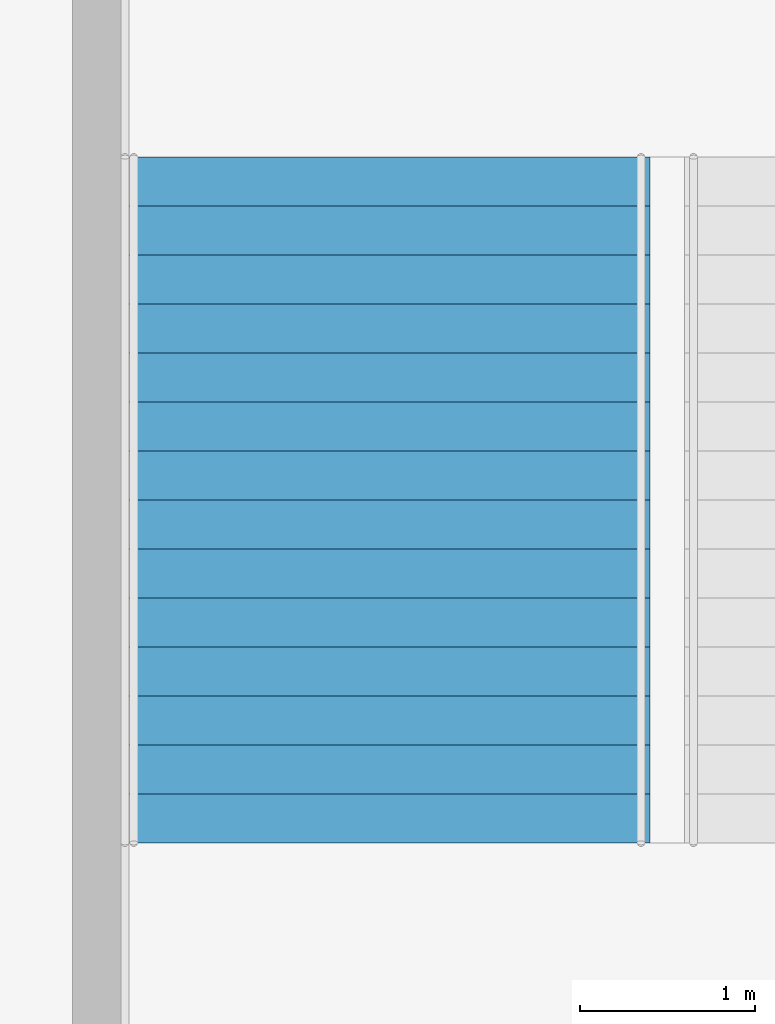
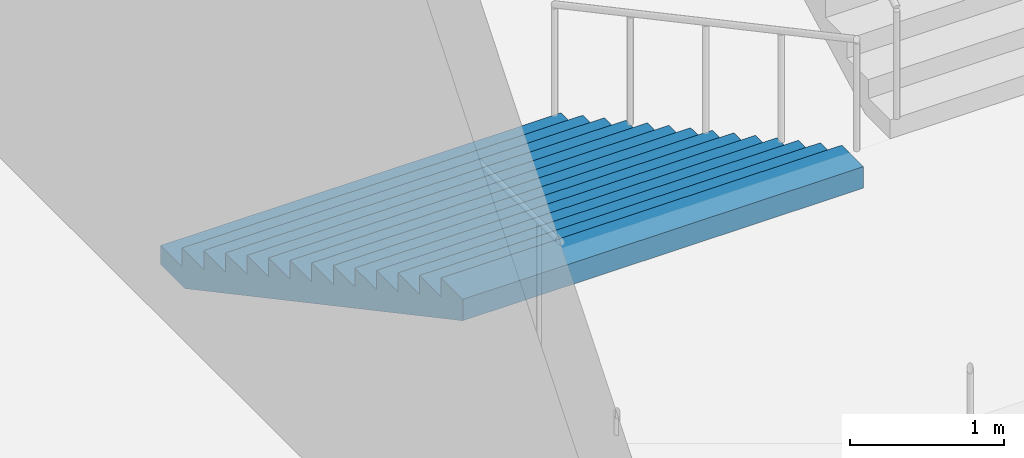
# One storey, part 96 of 113: 1 stair flight, 1 element without a shape of its own.
"""IFC4 building model written with IfcOpenShell, lengths in metres."""

from ifc_helpers import new_model, si_unit, direction, frame, origin, place, context, subcontext, project, spatial, triangles, material, type_object, element, aggregate, save


model = new_model("IFC4")

# Units and contexts
model_context = context("Model", 3, precision=1e-05, world=origin(), true_north=direction((0.0, 1.0)))
body_context = subcontext(model_context, "Body", "Model", "MODEL_VIEW")
ifc_project = project(units=[si_unit("LENGTHUNIT", "METRE"), si_unit("AREAUNIT", "SQUARE_METRE"), si_unit("VOLUMEUNIT", "CUBIC_METRE"), si_unit("PLANEANGLEUNIT", "RADIAN"), si_unit("MASSUNIT", "GRAM", prefix="KILO")], contexts=[model_context])

# Site, building, storey
site_placement = place(None, origin())
site = spatial("IfcSite", under=ifc_project, at=site_placement, CompositionType="ELEMENT")
building_placement = place(site_placement, origin())
building = spatial("IfcBuilding", under=site, at=building_placement, Name="Hakoniwa Tower and Hamabe Station Hall", CompositionType="ELEMENT")
storey_placement = place(building_placement, origin())
storey = spatial("IfcBuildingStorey", under=building, at=storey_placement, Name="L01", CompositionType="ELEMENT", Elevation=0.0)

# Stair, stair flight
ifc_material_1 = material(Name="Concrete C40", Category="concrete")
stair_type = type_object("IfcStairType", Name="STAIR 3000 15X150", PredefinedType="HALF_TURN_STAIR", material=ifc_material_1)
stair_placement = place(storey_placement, origin())
stair = element("IfcStair", 1, at=stair_placement, inside=storey, type_object=stair_type, Name="Concourse stair 1 L01-L02", PredefinedType="HALF_TURN_STAIR")
ifc_material_2 = material(Name="Concrete C40", Category="concrete")
stair_flight_type = type_object("IfcStairFlightType", Name="STAIR FLIGHT 3000", PredefinedType="STRAIGHT", material=ifc_material_2)
stair_flight_placement = place(storey_placement, frame((121.7900390625, -0.10009765625, 0.0), z_axis=(0.0, 0.0, 1.0), x_axis=(0.0, -1.0, 0.0)))
stair_flight = element("IfcStairFlight", 2, at=stair_flight_placement, type_object=stair_flight_type, Name="CS1 flight 1", NumberOfRisers=15, NumberOfTreads=14, PredefinedType="STRAIGHT", RiserHeight=0.15, TreadLength=0.28, context=body_context, shape_type="Tessellation", body=[
    triangles([(0.0, 1.5, 0.0), (0.280029296875, 1.5, 0.0), (0.3173828125, 1.5, 0.0), (0.56005859375, 1.5, 0.1298828125), (0.840087890625, 1.5, 0.280029296875), (1.1201171875, 1.5, 0.429931640625), (1.39990234375, 1.5, 0.579833984375), (1.679931640625, 1.5, 0.72998046875), (1.9599609375, 1.5, 0.8798828125), (2.239990234375, 1.5, 1.030029296875), (2.52001953125, 1.5, 1.179931640625), (2.800048828125, 1.5, 1.329833984375), (3.080078125, 1.5, 1.47998046875), (3.360107421875, 1.5, 1.6298828125), (3.639892578125, 1.5, 1.780029296875), (3.919921875, 1.5, 1.929931640625), (3.919921875, 1.5, 2.10009765625), (3.639892578125, 1.5, 2.10009765625), (3.639892578125, 1.5, 1.949951171875), (3.360107421875, 1.5, 1.949951171875), (3.360107421875, 1.5, 1.800048828125), (3.080078125, 1.5, 1.800048828125), (3.080078125, 1.5, 1.64990234375), (2.800048828125, 1.5, 1.64990234375), (2.800048828125, 1.5, 1.5), (2.52001953125, 1.5, 1.5), (2.52001953125, 1.5, 1.35009765625), (2.239990234375, 1.5, 1.35009765625), (2.239990234375, 1.5, 1.199951171875), (1.9599609375, 1.5, 1.199951171875), (1.9599609375, 1.5, 1.050048828125), (1.679931640625, 1.5, 1.050048828125), (1.679931640625, 1.5, 0.89990234375), (1.39990234375, 1.5, 0.89990234375), (1.39990234375, 1.5, 0.75), (1.1201171875, 1.5, 0.75), (1.1201171875, 1.5, 0.60009765625), (0.840087890625, 1.5, 0.60009765625), (0.840087890625, 1.5, 0.449951171875), (0.56005859375, 1.5, 0.449951171875), (0.56005859375, 1.5, 0.300048828125), (0.3173828125, 1.5, 0.300048828125), (0.280029296875, 1.5, 0.300048828125), (0.280029296875, 1.5, 0.14990234375), (0.0, 1.5, 0.14990234375), (0.0, 0.06005859375, 0.0), (0.280029296875, 0.06005859375, 0.0), (0.3173828125, 0.06005859375, 0.0), (0.56005859375, 0.06005859375, 0.1298828125), (0.840087890625, 0.06005859375, 0.280029296875), (1.1201171875, 0.06005859375, 0.429931640625), (1.39990234375, 0.06005859375, 0.579833984375), (1.679931640625, 0.06005859375, 0.72998046875), (1.9599609375, 0.06005859375, 0.8798828125), (2.239990234375, 0.06005859375, 1.030029296875), (2.52001953125, 0.06005859375, 1.179931640625), (2.800048828125, 0.06005859375, 1.329833984375), (3.080078125, 0.06005859375, 1.47998046875), (3.360107421875, 0.06005859375, 1.6298828125), (3.639892578125, 0.06005859375, 1.780029296875), (3.919921875, 0.06005859375, 1.929931640625), (3.919921875, 0.06005859375, 2.10009765625), (3.639892578125, 0.06005859375, 2.10009765625), (3.639892578125, 0.06005859375, 1.949951171875), (3.360107421875, 0.06005859375, 1.949951171875), (3.360107421875, 0.06005859375, 1.800048828125), (3.080078125, 0.06005859375, 1.800048828125), (3.080078125, 0.06005859375, 1.64990234375), (2.800048828125, 0.06005859375, 1.64990234375), (2.800048828125, 0.06005859375, 1.5), (2.52001953125, 0.06005859375, 1.5), (2.52001953125, 0.06005859375, 1.35009765625), (2.239990234375, 0.06005859375, 1.35009765625), (2.239990234375, 0.06005859375, 1.199951171875), (1.9599609375, 0.06005859375, 1.199951171875), (1.9599609375, 0.06005859375, 1.050048828125), (1.679931640625, 0.06005859375, 1.050048828125), (1.679931640625, 0.06005859375, 0.89990234375), (1.39990234375, 0.06005859375, 0.89990234375), (1.39990234375, 0.06005859375, 0.75), (1.1201171875, 0.06005859375, 0.75), (1.1201171875, 0.06005859375, 0.60009765625), (0.840087890625, 0.06005859375, 0.60009765625), (0.840087890625, 0.06005859375, 0.449951171875), (0.56005859375, 0.06005859375, 0.449951171875), (0.56005859375, 0.06005859375, 0.300048828125), (0.3173828125, 0.06005859375, 0.300048828125), (0.280029296875, 0.06005859375, 0.300048828125), (0.280029296875, 0.06005859375, 0.14990234375), (0.0, 0.06005859375, 0.14990234375), (0.0, 0.02001953125, 0.0), (0.280029296875, 0.02001953125, 0.0), (0.3173828125, 0.02001953125, 0.0), (0.56005859375, 0.02001953125, 0.1298828125), (0.840087890625, 0.02001953125, 0.280029296875), (1.1201171875, 0.02001953125, 0.429931640625), (1.39990234375, 0.02001953125, 0.579833984375), (1.679931640625, 0.02001953125, 0.72998046875), (1.9599609375, 0.02001953125, 0.8798828125), (2.239990234375, 0.02001953125, 1.030029296875), (2.52001953125, 0.02001953125, 1.179931640625), (2.800048828125, 0.02001953125, 1.329833984375), (3.080078125, 0.02001953125, 1.47998046875), (3.360107421875, 0.02001953125, 1.6298828125), (3.639892578125, 0.02001953125, 1.780029296875), (3.919921875, 0.02001953125, 1.929931640625), (3.919921875, 0.02001953125, 2.10009765625), (3.639892578125, 0.02001953125, 2.10009765625), (3.639892578125, 0.02001953125, 1.949951171875), (3.360107421875, 0.02001953125, 1.949951171875), (3.360107421875, 0.02001953125, 1.800048828125), (3.080078125, 0.02001953125, 1.800048828125), (3.080078125, 0.02001953125, 1.64990234375), (2.800048828125, 0.02001953125, 1.64990234375), (2.800048828125, 0.02001953125, 1.5), (2.52001953125, 0.02001953125, 1.5), (2.52001953125, 0.02001953125, 1.35009765625), (2.239990234375, 0.02001953125, 1.35009765625), (2.239990234375, 0.02001953125, 1.199951171875), (1.9599609375, 0.02001953125, 1.199951171875), (1.9599609375, 0.02001953125, 1.050048828125), (1.679931640625, 0.02001953125, 1.050048828125), (1.679931640625, 0.02001953125, 0.89990234375), (1.39990234375, 0.02001953125, 0.89990234375), (1.39990234375, 0.02001953125, 0.75), (1.1201171875, 0.02001953125, 0.75), (1.1201171875, 0.02001953125, 0.60009765625), (0.840087890625, 0.02001953125, 0.60009765625), (0.840087890625, 0.02001953125, 0.449951171875), (0.56005859375, 0.02001953125, 0.449951171875), (0.56005859375, 0.02001953125, 0.300048828125), (0.3173828125, 0.02001953125, 0.300048828125), (0.280029296875, 0.02001953125, 0.300048828125), (0.280029296875, 0.02001953125, 0.14990234375), (0.0, 0.02001953125, 0.14990234375), (0.0, -0.02001953125, 0.0), (0.280029296875, -0.02001953125, 0.0), (0.3173828125, -0.02001953125, 0.0), (0.56005859375, -0.02001953125, 0.1298828125), (0.840087890625, -0.02001953125, 0.280029296875), (1.1201171875, -0.02001953125, 0.429931640625), (1.39990234375, -0.02001953125, 0.579833984375), (1.679931640625, -0.02001953125, 0.72998046875), (1.9599609375, -0.02001953125, 0.8798828125), (2.239990234375, -0.02001953125, 1.030029296875), (2.52001953125, -0.02001953125, 1.179931640625), (2.800048828125, -0.02001953125, 1.329833984375), (3.080078125, -0.02001953125, 1.47998046875), (3.360107421875, -0.02001953125, 1.6298828125), (3.639892578125, -0.02001953125, 1.780029296875), (3.919921875, -0.02001953125, 1.929931640625), (3.919921875, -0.02001953125, 2.10009765625), (3.639892578125, -0.02001953125, 2.10009765625), (3.639892578125, -0.02001953125, 1.949951171875), (3.360107421875, -0.02001953125, 1.949951171875), (3.360107421875, -0.02001953125, 1.800048828125), (3.080078125, -0.02001953125, 1.800048828125), (3.080078125, -0.02001953125, 1.64990234375), (2.800048828125, -0.02001953125, 1.64990234375), (2.800048828125, -0.02001953125, 1.5), (2.52001953125, -0.02001953125, 1.5), (2.52001953125, -0.02001953125, 1.35009765625), (2.239990234375, -0.02001953125, 1.35009765625), (2.239990234375, -0.02001953125, 1.199951171875), (1.9599609375, -0.02001953125, 1.199951171875), (1.9599609375, -0.02001953125, 1.050048828125), (1.679931640625, -0.02001953125, 1.050048828125), (1.679931640625, -0.02001953125, 0.89990234375), (1.39990234375, -0.02001953125, 0.89990234375), (1.39990234375, -0.02001953125, 0.75), (1.1201171875, -0.02001953125, 0.75), (1.1201171875, -0.02001953125, 0.60009765625), (0.840087890625, -0.02001953125, 0.60009765625), (0.840087890625, -0.02001953125, 0.449951171875), (0.56005859375, -0.02001953125, 0.449951171875), (0.56005859375, -0.02001953125, 0.300048828125), (0.3173828125, -0.02001953125, 0.300048828125), (0.280029296875, -0.02001953125, 0.300048828125), (0.280029296875, -0.02001953125, 0.14990234375), (0.0, -0.02001953125, 0.14990234375), (0.0, -0.06005859375, 0.0), (0.280029296875, -0.06005859375, 0.0), (0.3173828125, -0.06005859375, 0.0), (0.56005859375, -0.06005859375, 0.1298828125), (0.840087890625, -0.06005859375, 0.280029296875), (1.1201171875, -0.06005859375, 0.429931640625), (1.39990234375, -0.06005859375, 0.579833984375), (1.679931640625, -0.06005859375, 0.72998046875), (1.9599609375, -0.06005859375, 0.8798828125), (2.239990234375, -0.06005859375, 1.030029296875), (2.52001953125, -0.06005859375, 1.179931640625), (2.800048828125, -0.06005859375, 1.329833984375), (3.080078125, -0.06005859375, 1.47998046875), (3.360107421875, -0.06005859375, 1.6298828125), (3.639892578125, -0.06005859375, 1.780029296875), (3.919921875, -0.06005859375, 1.929931640625), (3.919921875, -0.06005859375, 2.10009765625), (3.639892578125, -0.06005859375, 2.10009765625), (3.639892578125, -0.06005859375, 1.949951171875), (3.360107421875, -0.06005859375, 1.949951171875), (3.360107421875, -0.06005859375, 1.800048828125), (3.080078125, -0.06005859375, 1.800048828125), (3.080078125, -0.06005859375, 1.64990234375), (2.800048828125, -0.06005859375, 1.64990234375), (2.800048828125, -0.06005859375, 1.5), (2.52001953125, -0.06005859375, 1.5), (2.52001953125, -0.06005859375, 1.35009765625), (2.239990234375, -0.06005859375, 1.35009765625), (2.239990234375, -0.06005859375, 1.199951171875), (1.9599609375, -0.06005859375, 1.199951171875), (1.9599609375, -0.06005859375, 1.050048828125), (1.679931640625, -0.06005859375, 1.050048828125), (1.679931640625, -0.06005859375, 0.89990234375), (1.39990234375, -0.06005859375, 0.89990234375), (1.39990234375, -0.06005859375, 0.75), (1.1201171875, -0.06005859375, 0.75), (1.1201171875, -0.06005859375, 0.60009765625), (0.840087890625, -0.06005859375, 0.60009765625), (0.840087890625, -0.06005859375, 0.449951171875), (0.56005859375, -0.06005859375, 0.449951171875), (0.56005859375, -0.06005859375, 0.300048828125), (0.3173828125, -0.06005859375, 0.300048828125), (0.280029296875, -0.06005859375, 0.300048828125), (0.280029296875, -0.06005859375, 0.14990234375), (0.0, -0.06005859375, 0.14990234375), (0.0, -1.5, 0.0), (0.280029296875, -1.5, 0.0), (0.3173828125, -1.5, 0.0), (0.56005859375, -1.5, 0.1298828125), (0.840087890625, -1.5, 0.280029296875), (1.1201171875, -1.5, 0.429931640625), (1.39990234375, -1.5, 0.579833984375), (1.679931640625, -1.5, 0.72998046875), (1.9599609375, -1.5, 0.8798828125), (2.239990234375, -1.5, 1.030029296875), (2.52001953125, -1.5, 1.179931640625), (2.800048828125, -1.5, 1.329833984375), (3.080078125, -1.5, 1.47998046875), (3.360107421875, -1.5, 1.6298828125), (3.639892578125, -1.5, 1.780029296875), (3.919921875, -1.5, 1.929931640625), (3.919921875, -1.5, 2.10009765625), (3.639892578125, -1.5, 2.10009765625), (3.639892578125, -1.5, 1.949951171875), (3.360107421875, -1.5, 1.949951171875), (3.360107421875, -1.5, 1.800048828125), (3.080078125, -1.5, 1.800048828125), (3.080078125, -1.5, 1.64990234375), (2.800048828125, -1.5, 1.64990234375), (2.800048828125, -1.5, 1.5), (2.52001953125, -1.5, 1.5), (2.52001953125, -1.5, 1.35009765625), (2.239990234375, -1.5, 1.35009765625), (2.239990234375, -1.5, 1.199951171875), (1.9599609375, -1.5, 1.199951171875), (1.9599609375, -1.5, 1.050048828125), (1.679931640625, -1.5, 1.050048828125), (1.679931640625, -1.5, 0.89990234375), (1.39990234375, -1.5, 0.89990234375), (1.39990234375, -1.5, 0.75), (1.1201171875, -1.5, 0.75), (1.1201171875, -1.5, 0.60009765625), (0.840087890625, -1.5, 0.60009765625), (0.840087890625, -1.5, 0.449951171875), (0.56005859375, -1.5, 0.449951171875), (0.56005859375, -1.5, 0.300048828125), (0.3173828125, -1.5, 0.300048828125), (0.280029296875, -1.5, 0.300048828125), (0.280029296875, -1.5, 0.14990234375), (0.0, -1.5, 0.14990234375)], [[2, 45, 44], [227, 269, 270], [2, 1, 45], [227, 270, 226], [3, 43, 42], [228, 267, 268], [3, 44, 43], [228, 268, 269], [3, 2, 44], [228, 269, 227], [4, 42, 41], [229, 266, 267], [4, 3, 42], [229, 267, 228], [5, 40, 39], [230, 264, 265], [5, 41, 40], [230, 265, 266], [5, 4, 41], [230, 266, 229], [6, 38, 37], [231, 262, 263], [6, 39, 38], [231, 263, 264], [6, 5, 39], [231, 264, 230], [7, 36, 35], [232, 260, 261], [7, 37, 36], [232, 261, 262], [7, 6, 37], [232, 262, 231], [8, 34, 33], [233, 258, 259], [8, 35, 34], [233, 259, 260], [8, 7, 35], [233, 260, 232], [9, 32, 31], [234, 256, 257], [9, 33, 32], [234, 257, 258], [9, 8, 33], [234, 258, 233], [10, 30, 29], [235, 254, 255], [10, 31, 30], [235, 255, 256], [10, 9, 31], [235, 256, 234], [11, 28, 27], [236, 252, 253], [11, 29, 28], [236, 253, 254], [11, 10, 29], [236, 254, 235], [12, 26, 25], [237, 250, 251], [12, 27, 26], [237, 251, 252], [12, 11, 27], [237, 252, 236], [13, 24, 23], [238, 248, 249], [13, 25, 24], [238, 249, 250], [13, 12, 25], [238, 250, 237], [14, 22, 21], [239, 246, 247], [14, 23, 22], [239, 247, 248], [14, 13, 23], [239, 248, 238], [15, 20, 19], [240, 244, 245], [15, 21, 20], [240, 245, 246], [15, 14, 21], [240, 246, 239], [16, 18, 17], [241, 242, 243], [16, 19, 18], [241, 243, 244], [16, 15, 19], [241, 244, 240], [1, 2, 47], [1, 47, 46], [46, 47, 92], [46, 92, 91], [91, 92, 137], [91, 137, 136], [136, 137, 182], [136, 182, 181], [181, 182, 227], [181, 227, 226], [2, 3, 48], [2, 48, 47], [47, 48, 93], [47, 93, 92], [92, 93, 138], [92, 138, 137], [137, 138, 183], [137, 183, 182], [182, 183, 228], [182, 228, 227], [3, 4, 49], [3, 49, 48], [48, 49, 94], [48, 94, 93], [93, 94, 139], [93, 139, 138], [138, 139, 184], [138, 184, 183], [183, 184, 229], [183, 229, 228], [4, 5, 50], [4, 50, 49], [49, 50, 95], [49, 95, 94], [94, 95, 140], [94, 140, 139], [139, 140, 185], [139, 185, 184], [184, 185, 230], [184, 230, 229], [5, 6, 51], [5, 51, 50], [50, 51, 96], [50, 96, 95], [95, 96, 141], [95, 141, 140], [140, 141, 186], [140, 186, 185], [185, 186, 231], [185, 231, 230], [6, 7, 52], [6, 52, 51], [51, 52, 97], [51, 97, 96], [96, 97, 142], [96, 142, 141], [141, 142, 187], [141, 187, 186], [186, 187, 232], [186, 232, 231], [7, 8, 53], [7, 53, 52], [52, 53, 98], [52, 98, 97], [97, 98, 143], [97, 143, 142], [142, 143, 188], [142, 188, 187], [187, 188, 233], [187, 233, 232], [8, 9, 54], [8, 54, 53], [53, 54, 99], [53, 99, 98], [98, 99, 144], [98, 144, 143], [143, 144, 189], [143, 189, 188], [188, 189, 234], [188, 234, 233], [9, 10, 55], [9, 55, 54], [54, 55, 100], [54, 100, 99], [99, 100, 145], [99, 145, 144], [144, 145, 190], [144, 190, 189], [189, 190, 235], [189, 235, 234], [10, 11, 56], [10, 56, 55], [55, 56, 101], [55, 101, 100], [100, 101, 146], [100, 146, 145], [145, 146, 191], [145, 191, 190], [190, 191, 236], [190, 236, 235], [11, 12, 57], [11, 57, 56], [56, 57, 102], [56, 102, 101], [101, 102, 147], [101, 147, 146], [146, 147, 192], [146, 192, 191], [191, 192, 237], [191, 237, 236], [12, 13, 58], [12, 58, 57], [57, 58, 103], [57, 103, 102], [102, 103, 148], [102, 148, 147], [147, 148, 193], [147, 193, 192], [192, 193, 238], [192, 238, 237], [13, 14, 59], [13, 59, 58], [58, 59, 104], [58, 104, 103], [103, 104, 149], [103, 149, 148], [148, 149, 194], [148, 194, 193], [193, 194, 239], [193, 239, 238], [14, 15, 60], [14, 60, 59], [59, 60, 105], [59, 105, 104], [104, 105, 150], [104, 150, 149], [149, 150, 195], [149, 195, 194], [194, 195, 240], [194, 240, 239], [15, 16, 61], [15, 61, 60], [60, 61, 106], [60, 106, 105], [105, 106, 151], [105, 151, 150], [150, 151, 196], [150, 196, 195], [195, 196, 241], [195, 241, 240], [16, 17, 62], [16, 62, 61], [61, 62, 107], [61, 107, 106], [106, 107, 152], [106, 152, 151], [151, 152, 197], [151, 197, 196], [196, 197, 242], [196, 242, 241], [17, 18, 63], [17, 63, 62], [62, 63, 108], [62, 108, 107], [107, 108, 153], [107, 153, 152], [152, 153, 198], [152, 198, 197], [197, 198, 243], [197, 243, 242], [18, 19, 64], [18, 64, 63], [63, 64, 109], [63, 109, 108], [108, 109, 154], [108, 154, 153], [153, 154, 199], [153, 199, 198], [198, 199, 244], [198, 244, 243], [19, 20, 65], [19, 65, 64], [64, 65, 110], [64, 110, 109], [109, 110, 155], [109, 155, 154], [154, 155, 200], [154, 200, 199], [199, 200, 245], [199, 245, 244], [20, 21, 66], [20, 66, 65], [65, 66, 111], [65, 111, 110], [110, 111, 156], [110, 156, 155], [155, 156, 201], [155, 201, 200], [200, 201, 246], [200, 246, 245], [21, 22, 67], [21, 67, 66], [66, 67, 112], [66, 112, 111], [111, 112, 157], [111, 157, 156], [156, 157, 202], [156, 202, 201], [201, 202, 247], [201, 247, 246], [22, 23, 68], [22, 68, 67], [67, 68, 113], [67, 113, 112], [112, 113, 158], [112, 158, 157], [157, 158, 203], [157, 203, 202], [202, 203, 248], [202, 248, 247], [23, 24, 69], [23, 69, 68], [68, 69, 114], [68, 114, 113], [113, 114, 159], [113, 159, 158], [158, 159, 204], [158, 204, 203], [203, 204, 249], [203, 249, 248], [24, 25, 70], [24, 70, 69], [69, 70, 115], [69, 115, 114], [114, 115, 160], [114, 160, 159], [159, 160, 205], [159, 205, 204], [204, 205, 250], [204, 250, 249], [25, 26, 71], [25, 71, 70], [70, 71, 116], [70, 116, 115], [115, 116, 161], [115, 161, 160], [160, 161, 206], [160, 206, 205], [205, 206, 251], [205, 251, 250], [26, 27, 72], [26, 72, 71], [71, 72, 117], [71, 117, 116], [116, 117, 162], [116, 162, 161], [161, 162, 207], [161, 207, 206], [206, 207, 252], [206, 252, 251], [27, 28, 73], [27, 73, 72], [72, 73, 118], [72, 118, 117], [117, 118, 163], [117, 163, 162], [162, 163, 208], [162, 208, 207], [207, 208, 253], [207, 253, 252], [28, 29, 74], [28, 74, 73], [73, 74, 119], [73, 119, 118], [118, 119, 164], [118, 164, 163], [163, 164, 209], [163, 209, 208], [208, 209, 254], [208, 254, 253], [29, 30, 75], [29, 75, 74], [74, 75, 120], [74, 120, 119], [119, 120, 165], [119, 165, 164], [164, 165, 210], [164, 210, 209], [209, 210, 255], [209, 255, 254], [30, 31, 76], [30, 76, 75], [75, 76, 121], [75, 121, 120], [120, 121, 166], [120, 166, 165], [165, 166, 211], [165, 211, 210], [210, 211, 256], [210, 256, 255], [31, 32, 77], [31, 77, 76], [76, 77, 122], [76, 122, 121], [121, 122, 167], [121, 167, 166], [166, 167, 212], [166, 212, 211], [211, 212, 257], [211, 257, 256], [32, 33, 78], [32, 78, 77], [77, 78, 123], [77, 123, 122], [122, 123, 168], [122, 168, 167], [167, 168, 213], [167, 213, 212], [212, 213, 258], [212, 258, 257], [33, 34, 79], [33, 79, 78], [78, 79, 124], [78, 124, 123], [123, 124, 169], [123, 169, 168], [168, 169, 214], [168, 214, 213], [213, 214, 259], [213, 259, 258], [34, 35, 80], [34, 80, 79], [79, 80, 125], [79, 125, 124], [124, 125, 170], [124, 170, 169], [169, 170, 215], [169, 215, 214], [214, 215, 260], [214, 260, 259], [35, 36, 81], [35, 81, 80], [80, 81, 126], [80, 126, 125], [125, 126, 171], [125, 171, 170], [170, 171, 216], [170, 216, 215], [215, 216, 261], [215, 261, 260], [36, 37, 82], [36, 82, 81], [81, 82, 127], [81, 127, 126], [126, 127, 172], [126, 172, 171], [171, 172, 217], [171, 217, 216], [216, 217, 262], [216, 262, 261], [37, 38, 83], [37, 83, 82], [82, 83, 128], [82, 128, 127], [127, 128, 173], [127, 173, 172], [172, 173, 218], [172, 218, 217], [217, 218, 263], [217, 263, 262], [38, 39, 84], [38, 84, 83], [83, 84, 129], [83, 129, 128], [128, 129, 174], [128, 174, 173], [173, 174, 219], [173, 219, 218], [218, 219, 264], [218, 264, 263], [39, 40, 85], [39, 85, 84], [84, 85, 130], [84, 130, 129], [129, 130, 175], [129, 175, 174], [174, 175, 220], [174, 220, 219], [219, 220, 265], [219, 265, 264], [40, 41, 86], [40, 86, 85], [85, 86, 131], [85, 131, 130], [130, 131, 176], [130, 176, 175], [175, 176, 221], [175, 221, 220], [220, 221, 266], [220, 266, 265], [41, 42, 87], [41, 87, 86], [86, 87, 132], [86, 132, 131], [131, 132, 177], [131, 177, 176], [176, 177, 222], [176, 222, 221], [221, 222, 267], [221, 267, 266], [42, 43, 88], [42, 88, 87], [87, 88, 133], [87, 133, 132], [132, 133, 178], [132, 178, 177], [177, 178, 223], [177, 223, 222], [222, 223, 268], [222, 268, 267], [43, 44, 89], [43, 89, 88], [88, 89, 134], [88, 134, 133], [133, 134, 179], [133, 179, 178], [178, 179, 224], [178, 224, 223], [223, 224, 269], [223, 269, 268], [44, 45, 90], [44, 90, 89], [89, 90, 135], [89, 135, 134], [134, 135, 180], [134, 180, 179], [179, 180, 225], [179, 225, 224], [224, 225, 270], [224, 270, 269], [45, 1, 46], [45, 46, 90], [90, 46, 91], [90, 91, 135], [135, 91, 136], [135, 136, 180], [180, 136, 181], [180, 181, 225], [225, 181, 226], [225, 226, 270]], closed=True),
])
aggregate(stair, [stair_flight])

save(model, "model.ifc")
